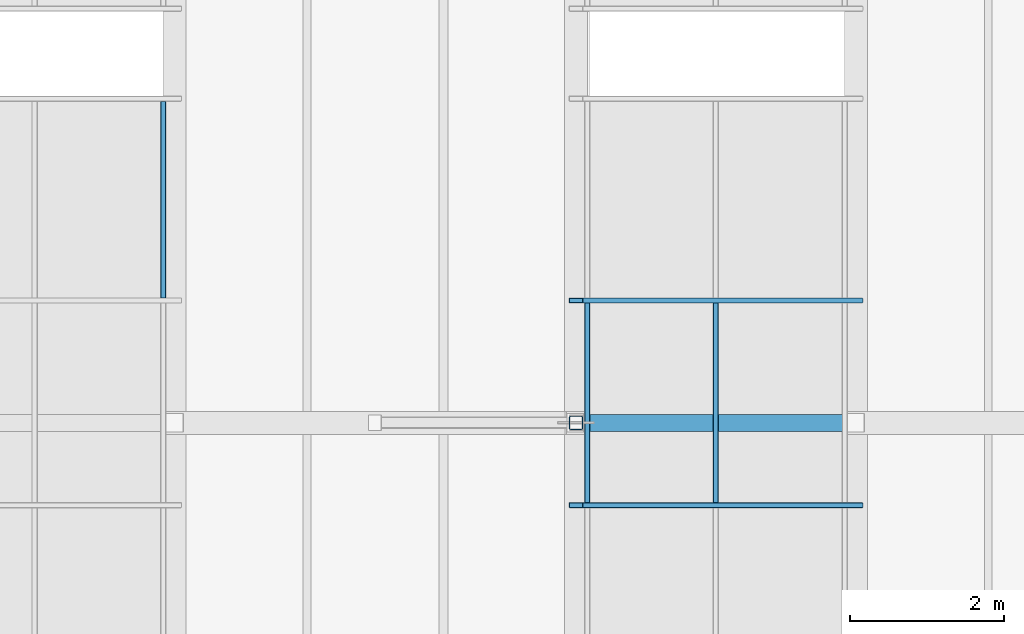
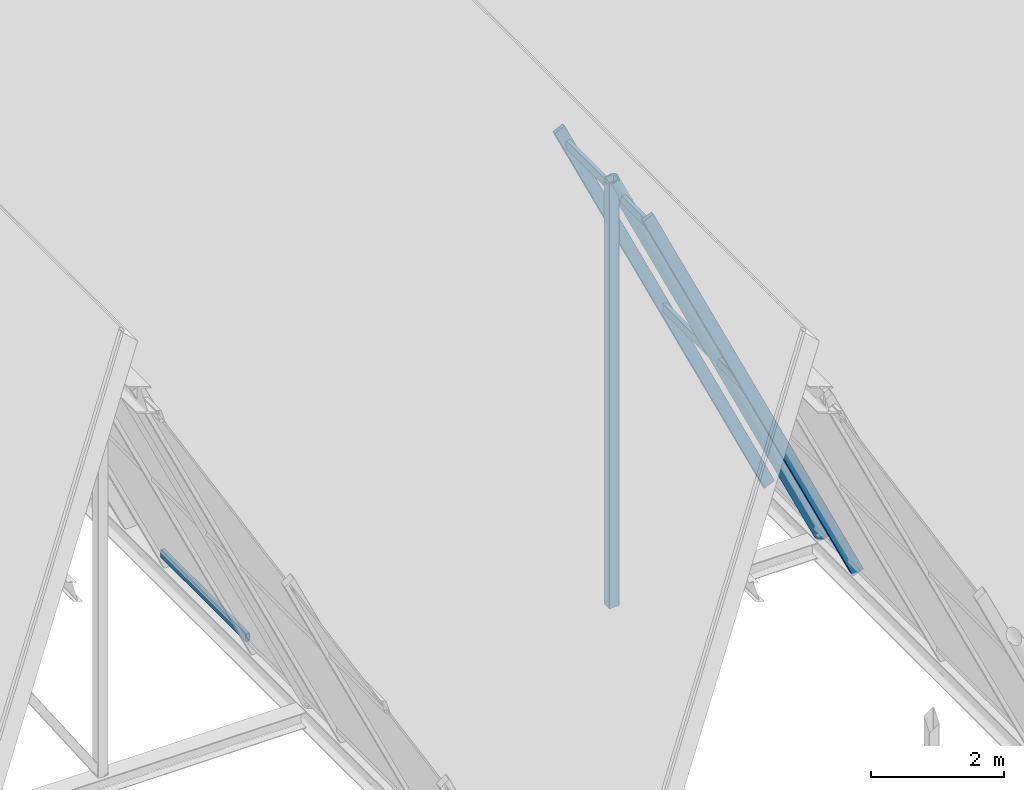
# One storey, part 52 of 99: 7 members, 2 elements without a shape of their own.
"""IFC4 building model written with IfcOpenShell, lengths in metres."""

from ifc_helpers import new_model, si_unit, direction, frame, origin, origin_2d, place, context, subcontext, project, spatial, hollow_rectangle, hollow_circle, extrude, material, material_profile, profile_set, type_object, element, aggregate, save


model = new_model("IFC4")

# Units and contexts
model_context = context("Model", 3, precision=1e-05, world=origin(), true_north=direction((0.0, 1.0)))
body_context = subcontext(model_context, "Body", "Model", "MODEL_VIEW")
ifc_project = project(units=[si_unit("LENGTHUNIT", "METRE"), si_unit("AREAUNIT", "SQUARE_METRE"), si_unit("VOLUMEUNIT", "CUBIC_METRE"), si_unit("PLANEANGLEUNIT", "RADIAN"), si_unit("MASSUNIT", "GRAM", prefix="KILO")], contexts=[model_context])

# Site, building, storey
site_placement = place(None, origin())
site = spatial("IfcSite", under=ifc_project, at=site_placement, CompositionType="ELEMENT")
building_placement = place(site_placement, origin())
building = spatial("IfcBuilding", under=site, at=building_placement, Name="Bramveld Media Centre", CompositionType="ELEMENT")
storey_placement = place(building_placement, frame((0.0, 0.0, 13.800048828125)))
storey = spatial("IfcBuildingStorey", under=building, at=storey_placement, Name="L03", CompositionType="ELEMENT", Elevation=13.800048828125)

# Curtain wall, members
ifc_material_1 = material(Name="Thermally broken anodized bronze aluminium unitized curtain wall with solar-control triple glazing", Category="aluminium")
curtain_wall_type = type_object("IfcCurtainWallType", Name="CW-SAW-13300x8606", PredefinedType="NOTDEFINED", material=ifc_material_1)
curtain_wall_1_placement = place(storey_placement, origin())
curtain_wall_1 = element("IfcCurtainWall", 1, at=curtain_wall_1_placement, inside=storey, type_object=curtain_wall_type, Name="V1 sawtooth north-light clerestory B6-S1", PredefinedType="NOTDEFINED")
ifc_material_2 = material(Name="Thermally broken anodized bronze aluminium EN AW-6063 T6 curtain-wall framing", Category="aluminium")
ifc_material_profile_1 = material_profile(ifc_material_2, hollow_rectangle(XDim=0.070068359375, YDim=0.199951171875, WallThickness=0.00439453125, InnerFilletRadius=0.00439453125, OuterFilletRadius=0.009033203125, at=origin_2d()), Name="AL-MULL 70x200")
ifc_profile_set_1 = profile_set([ifc_material_profile_1], Name="Thermally broken anodized bronze aluminium EN AW-6063 T6 curtain-wall framing")
member_type_1 = type_object("IfcMemberType", Name="CW-MULL-SLP", PredefinedType="MULLION", material=ifc_profile_set_1)
member_1_placement = place(storey_placement, frame((177.142822265625, 8.530029296875, -0.02001953125), z_axis=(-0.423956992265, 0.0, 0.90568232218), x_axis=(0.0, -1.0, 0.0)))
member_1 = element("IfcMember", 2, at=member_1_placement, type_object=member_type_1, Name="CW-SA-13386 sloped mullion 4", PredefinedType="MULLION", context=body_context, shape_type="SweptSolid", body=[
    extrude(hollow_rectangle(XDim=0.070068359375, YDim=0.199951171875, WallThickness=0.00439453125, InnerFilletRadius=0.00439453125, OuterFilletRadius=0.009033203125, at=origin_2d()), origin(), (0.0, 0.0, 1.0), 8.5791015625),
])
member_2_placement = place(storey_placement, frame((177.142822265625, 11.18994140625, -0.02001953125), z_axis=(-0.423956992265, 0.0, 0.90568232218), x_axis=(0.0, -1.0, 0.0)))
member_2 = element("IfcMember", 3, at=member_2_placement, type_object=member_type_1, Name="CW-SA-13386 sloped mullion 5", PredefinedType="MULLION", context=body_context, shape_type="SweptSolid", body=[
    extrude(hollow_rectangle(XDim=0.070068359375, YDim=0.199951171875, WallThickness=0.00439453125, InnerFilletRadius=0.00439453125, OuterFilletRadius=0.009033203125, at=origin_2d()), origin(), (0.0, 0.0, 1.0), 8.5791015625),
])

# Curtain wall, member
curtain_wall_2_placement = place(storey_placement, origin())
curtain_wall_2 = element("IfcCurtainWall", 4, at=curtain_wall_2_placement, inside=storey, type_object=curtain_wall_type, Name="V1 sawtooth north-light clerestory B5-S1", PredefinedType="NOTDEFINED")
ifc_material_3 = material(Name="Thermally broken anodized bronze aluminium EN AW-6063 T6 curtain-wall framing", Category="aluminium")
ifc_material_profile_2 = material_profile(ifc_material_3, hollow_rectangle(XDim=0.070068359375, YDim=0.14990234375, WallThickness=0.00390625, InnerFilletRadius=0.00390625, OuterFilletRadius=0.008056640625, at=origin_2d()), Name="AL-TRAN 70x150")
ifc_profile_set_2 = profile_set([ifc_material_profile_2], Name="Thermally broken anodized bronze aluminium EN AW-6063 T6 curtain-wall framing")
member_type_2 = type_object("IfcMemberType", Name="CW-TRAN-SLP", PredefinedType="USERDEFINED", material=ifc_profile_set_2)
member_3_placement = place(storey_placement, frame((168.14013671875, 11.22509765625, 0.290771484375), z_axis=(0.0, 1.0, 0.0), x_axis=(-1.0, 0.0, 0.0)))
member_3 = element("IfcMember", 5, at=member_3_placement, type_object=member_type_2, Name="CW-SA-13386 transom 5.1", ObjectType="TRANSOM", PredefinedType="USERDEFINED", context=body_context, shape_type="SweptSolid", body=[
    extrude(hollow_rectangle(XDim=0.070068359375, YDim=0.14990234375, WallThickness=0.00390625, InnerFilletRadius=0.00390625, OuterFilletRadius=0.008056640625, at=origin_2d()), origin(), (0.0, 0.0, 1.0), 2.554931640625),
])
aggregate(curtain_wall_2, [member_3])

# Member
member_4_placement = place(storey_placement, frame((175.32421875, 8.56494140625, 3.864990234375), z_axis=(0.0, 1.0, 0.0), x_axis=(-1.0, 0.0, 0.0)))
member_4 = element("IfcMember", 6, at=member_4_placement, type_object=member_type_2, Name="CW-SA-13386 transom 4.2", ObjectType="TRANSOM", PredefinedType="USERDEFINED", context=body_context, shape_type="SweptSolid", body=[
    extrude(hollow_rectangle(XDim=0.070068359375, YDim=0.14990234375, WallThickness=0.00390625, InnerFilletRadius=0.00390625, OuterFilletRadius=0.008056640625, at=origin_2d()), origin(), (0.0, 0.0, 1.0), 2.590087890625),
])

member_5_placement = place(storey_placement, frame((173.651123046875, 8.56494140625, 7.439208984375), z_axis=(0.0, 1.0, 0.0), x_axis=(-1.0, 0.0, 0.0)))
member_5 = element("IfcMember", 7, at=member_5_placement, type_object=member_type_2, Name="CW-SA-13386 transom 4.3", ObjectType="TRANSOM", PredefinedType="USERDEFINED", context=body_context, shape_type="SweptSolid", body=[
    extrude(hollow_rectangle(XDim=0.070068359375, YDim=0.14990234375, WallThickness=0.00390625, InnerFilletRadius=0.00390625, OuterFilletRadius=0.008056640625, at=origin_2d()), origin(), (0.0, 0.0, 1.0), 2.590087890625),
])

aggregate(curtain_wall_1, [member_1, member_2, member_4, member_5])

# Members
ifc_material_4 = material(Name="Steel S355J2H", Category="steel")
ifc_material_profile_3 = material_profile(ifc_material_4, hollow_circle(Radius=0.109619140625, WallThickness=0.012451171875, at=origin_2d()), Name="CHS 219.1x12.5")
ifc_profile_set_3 = profile_set([ifc_material_profile_3], Name="Steel S355J2H")
member_type_3 = type_object("IfcMemberType", Name="MEM-BRACE-CHS219", PredefinedType="BRACE", material=ifc_profile_set_3)
member_6_placement = place(storey_placement, frame((177.142822265625, 9.60009765625, 0.0), z_axis=(-0.422616785161, 0.0, 0.906308475575), x_axis=(0.0, -1.0, 0.0)))
element("IfcMember", 8, at=member_6_placement, inside=storey, type_object=member_type_3, Name="TRUSS-V1-B06-F2 north-light strut", PredefinedType="BRACE", context=body_context, shape_type="SweptSolid", body=[
    extrude(hollow_circle(Radius=0.109619140625, WallThickness=0.012451171875, at=origin_2d()), origin(), (0.0, 0.0, 1.0), 8.6064453125),
])
ifc_material_5 = material(Name="Steel S355J2H", Category="steel")
ifc_material_profile_4 = material_profile(ifc_material_5, hollow_rectangle(XDim=0.179931640625, YDim=0.179931640625, WallThickness=0.010009765625, InnerFilletRadius=0.010009765625, OuterFilletRadius=0.02001953125, at=origin_2d()), Name="SHS 180x180x10")
ifc_profile_set_4 = profile_set([ifc_material_profile_4], Name="Steel S355J2H")
member_type_4 = type_object("IfcMemberType", Name="MEM-POST-SHS180", PredefinedType="POST", material=ifc_profile_set_4)
member_7_placement = place(storey_placement, frame((173.505615234375, 9.60009765625, 0.0), z_axis=(0.0, 0.0, 1.0), x_axis=(1.0, 0.0, 0.0)))
element("IfcMember", 9, at=member_7_placement, inside=storey, type_object=member_type_4, Name="TRUSS-V1-B06-F2 kingpost", PredefinedType="POST", context=body_context, shape_type="SweptSolid", body=[
    extrude(hollow_rectangle(XDim=0.179931640625, YDim=0.179931640625, WallThickness=0.010009765625, InnerFilletRadius=0.010009765625, OuterFilletRadius=0.02001953125, at=origin_2d()), origin(), (0.0, 0.0, 1.0), 7.800048828125),
])

save(model, "model.ifc")
